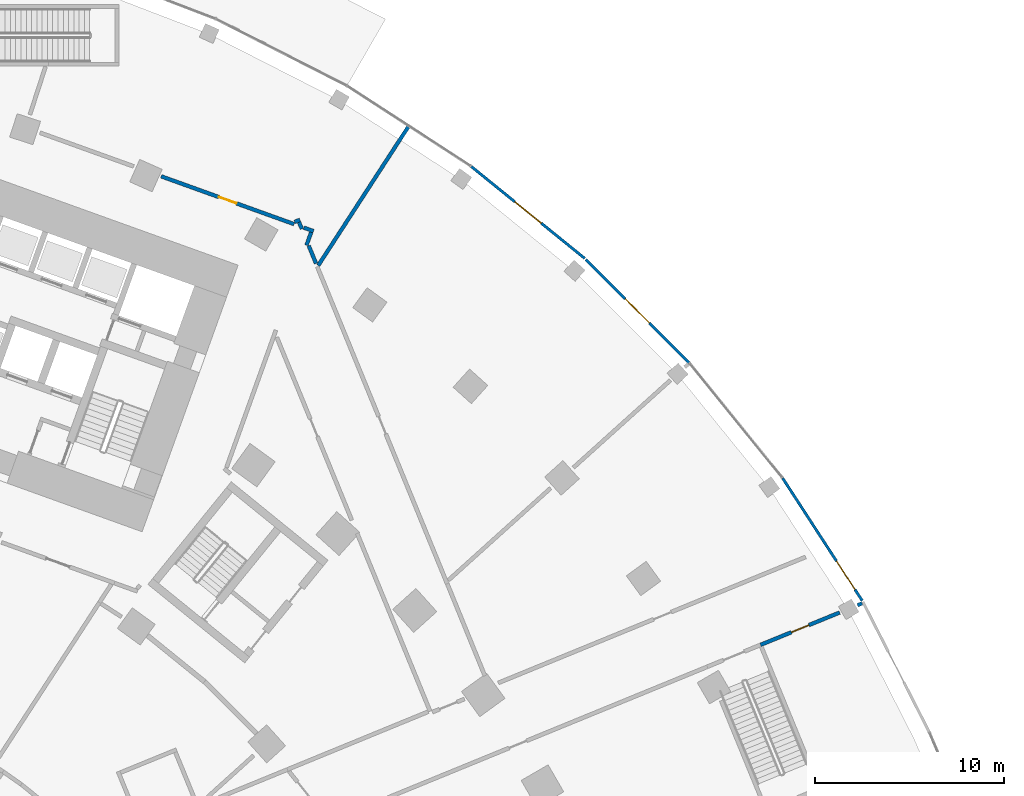
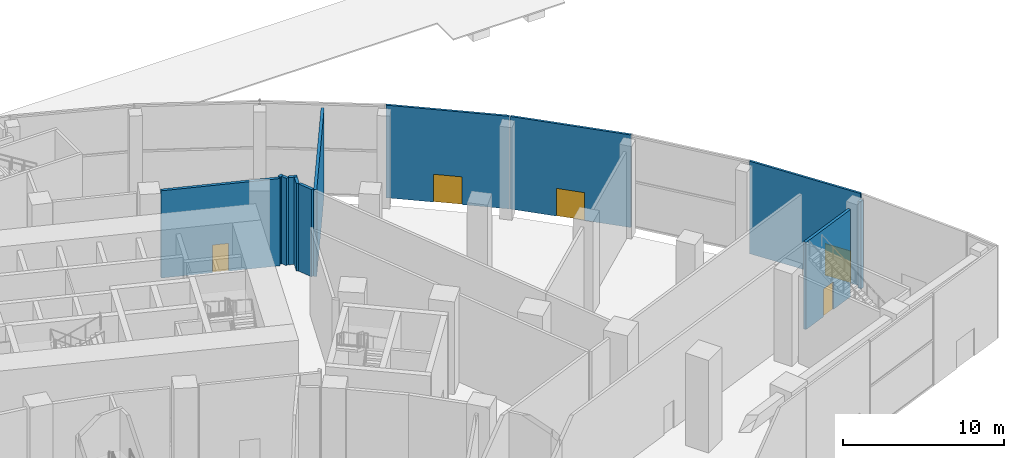
# One storey, part 38 of 60: 12 walls, 5 doors, 5 openings.
"""IFC4 building model written with IfcOpenShell, lengths in metres."""

from ifc_helpers import new_model, si_unit, direction, frame, frame_2d, origin, place, context, subcontext, project, spatial, rectangle, extrude, material, layer, layer_set, type_object, element, fill, save


model = new_model("IFC4")

# Units and contexts
model_context = context("Model", 3, precision=1e-05, world=origin(), true_north=direction((0.0, 1.0)))
body_context = subcontext(model_context, "Body", "Model", "MODEL_VIEW")
ifc_project = project(units=[si_unit("LENGTHUNIT", "METRE"), si_unit("AREAUNIT", "SQUARE_METRE"), si_unit("VOLUMEUNIT", "CUBIC_METRE"), si_unit("PLANEANGLEUNIT", "RADIAN"), si_unit("MASSUNIT", "GRAM", prefix="KILO")], contexts=[model_context])

# Site, building, storey
site_placement = place(None, origin())
site = spatial("IfcSite", under=ifc_project, at=site_placement, CompositionType="ELEMENT")
building_placement = place(site_placement, origin())
building = spatial("IfcBuilding", under=site, at=building_placement, Name="Stone Belt Terrace Tower", CompositionType="ELEMENT")
storey_placement = place(building_placement, origin())
storey = spatial("IfcBuildingStorey", under=building, at=storey_placement, Name="L00", CompositionType="ELEMENT", Elevation=0.0)

# Wall, opening, door
ifc_material_1 = material(Name="Terracotta coloured glazed ceramic", Category="masonry")
ifc_layer_1 = layer(ifc_material_1, 0.14990234375)
ifc_layer_set_1 = layer_set([ifc_layer_1], Name="Ceramic rain-screen wall 150")
wall_type_1 = type_object("IfcWallType", Name="Ceramic rain-screen wall 150", PredefinedType="SOLIDWALL", material=ifc_layer_set_1)
wall_1_placement = place(storey_placement, frame((64.5654296875, 37.31591796875, 0.0), z_axis=(0.0, 0.0, 1.0), x_axis=(-0.54462677088, 0.83867853224, 0.0)))
wall_1 = element("IfcWall", 1, at=wall_1_placement, inside=storey, type_object=wall_type_1, Name="Door wall L00", PredefinedType="SOLIDWALL", context=body_context, shape_type="SweptSolid", body=[
    extrude(rectangle(XDim=7.738037109375, YDim=0.14990234375, at=frame_2d((3.869140625, 0.0))), origin(), (0.0, 0.0, 1.0), 7.0),
])
opening_1_placement = place(wall_1_placement, frame((0.707275390625, 0.0, 0.0)))
opening_1 = element("IfcOpeningElement", 2, at=opening_1_placement, cuts=wall_1, Name="Opening L00-E09", PredefinedType="OPENING", context=body_context, shape_type="SweptSolid", body=[
    extrude(rectangle(XDim=1.800048828125, YDim=2.39990234375, at=frame_2d((0.89990234375, 1.199951171875))), frame((0.0, 0.0849609375, 0.0), z_axis=(0.0, -1.0, 0.0), x_axis=(1.0, 0.0, 0.0)), (0.0, 0.0, 1.0), 0.169921875),
])
ifc_material_2 = material(Name="Anodised aluminium glazed door", Category="aluminium")
door_type_1 = type_object("IfcDoorType", Name="Shopfront door 1800 x 2400", OperationType="DOUBLE_DOOR_DOUBLE_SWING", PredefinedType="DOOR", material=ifc_material_2)
door_1_placement = place(opening_1_placement, origin())
door_1 = element("IfcDoor", 3, at=door_1_placement, inside=storey, type_object=door_type_1, Name="Terrace door L00", OperationType="DOUBLE_DOOR_DOUBLE_SWING", OverallHeight=2.39990234375, OverallWidth=1.800048828125, PredefinedType="DOOR", context=body_context, shape_type="SweptSolid", body=[
    extrude(rectangle(XDim=1.800048828125, YDim=2.39990234375, at=frame_2d((0.89990234375, 1.199951171875))), frame((0.0, 0.02490234375, 0.0), z_axis=(0.0, -1.0, 0.0), x_axis=(1.0, 0.0, 0.0)), (0.0, 0.0, 1.0), 0.050048828125),
])
fill(opening_1, door_1)

wall_2_placement = place(storey_placement, frame((55.396240234375, 49.924560546875, 0.0), z_axis=(0.0, 0.0, 1.0), x_axis=(-0.707106781187, 0.707106781187, 0.0)))
wall_2 = element("IfcWall", 4, at=wall_2_placement, inside=storey, type_object=wall_type_1, Name="Door wall L00", PredefinedType="SOLIDWALL", context=body_context, shape_type="SweptSolid", body=[
    extrude(rectangle(XDim=7.738037109375, YDim=0.14990234375, at=frame_2d((3.869140625, 0.0))), origin(), (0.0, 0.0, 1.0), 7.0),
])
opening_2_placement = place(wall_2_placement, frame((2.968994140625, 0.0, 0.0)))
opening_2 = element("IfcOpeningElement", 5, at=opening_2_placement, cuts=wall_2, Name="Opening L00-E10", PredefinedType="OPENING", context=body_context, shape_type="SweptSolid", body=[
    extrude(rectangle(XDim=1.800048828125, YDim=2.10009765625, at=frame_2d((0.89990234375, 1.050048828125))), frame((0.0, 0.0849609375, 0.0), z_axis=(0.0, -1.0, 0.0), x_axis=(1.0, 0.0, 0.0)), (0.0, 0.0, 1.0), 0.169921875),
])
door_type_2 = type_object("IfcDoorType", Name="Exit door pair 1800 x 2100", OperationType="DOUBLE_DOOR_DOUBLE_SWING", PredefinedType="DOOR", material=ifc_material_2)
door_2_placement = place(opening_2_placement, origin())
door_2 = element("IfcDoor", 6, at=door_2_placement, inside=storey, type_object=door_type_2, Name="Exit door L00", OperationType="DOUBLE_DOOR_DOUBLE_SWING", OverallHeight=2.10009765625, OverallWidth=1.800048828125, PredefinedType="DOOR", context=body_context, shape_type="SweptSolid", body=[
    extrude(rectangle(XDim=1.800048828125, YDim=2.10009765625, at=frame_2d((0.89990234375, 1.050048828125))), frame((0.0, 0.02490234375, 0.0), z_axis=(0.0, -1.0, 0.0), x_axis=(1.0, 0.0, 0.0)), (0.0, 0.0, 1.0), 0.050048828125),
])
fill(opening_2, door_2)

wall_3_placement = place(storey_placement, frame((49.874267578125, 55.44140625, 0.0), z_axis=(0.0, 0.0, 1.0), x_axis=(-0.777139794023, 0.62932800712, 0.0)))
wall_3 = element("IfcWall", 7, at=wall_3_placement, inside=storey, type_object=wall_type_1, Name="Door wall L00", PredefinedType="SOLIDWALL", context=body_context, shape_type="SweptSolid", body=[
    extrude(rectangle(XDim=7.73828125, YDim=0.14990234375, at=frame_2d((3.869140625, 0.0))), origin(), (0.0, 0.0, 1.0), 7.0),
])
opening_3_placement = place(wall_3_placement, frame((2.968994140625, 0.0, 0.0)))
opening_3 = element("IfcOpeningElement", 8, at=opening_3_placement, cuts=wall_3, Name="Opening L00-E11", PredefinedType="OPENING", context=body_context, shape_type="SweptSolid", body=[
    extrude(rectangle(XDim=1.800048828125, YDim=2.10009765625, at=frame_2d((0.89990234375, 1.050048828125))), frame((0.0, 0.0849609375, 0.0), z_axis=(0.0, -1.0, 0.0), x_axis=(1.0, 0.0, 0.0)), (0.0, 0.0, 1.0), 0.169921875),
])
door_3_placement = place(opening_3_placement, origin())
door_3 = element("IfcDoor", 9, at=door_3_placement, inside=storey, type_object=door_type_2, Name="Exit door L00", OperationType="DOUBLE_DOOR_DOUBLE_SWING", OverallHeight=2.10009765625, OverallWidth=1.800048828125, PredefinedType="DOOR", context=body_context, shape_type="SweptSolid", body=[
    extrude(rectangle(XDim=1.800048828125, YDim=2.10009765625, at=frame_2d((0.89990234375, 1.050048828125))), frame((0.0, 0.02490234375, 0.0), z_axis=(0.0, -1.0, 0.0), x_axis=(1.0, 0.0, 0.0)), (0.0, 0.0, 1.0), 0.050048828125),
])
fill(opening_3, door_3)

ifc_material_3 = material(Name="Blockwork wall, plastered both faces", Category="masonry")
ifc_layer_2 = layer(ifc_material_3, 0.199951171875)
ifc_layer_set_2 = layer_set([ifc_layer_2], Name="Podium demising wall 200")
wall_type_2 = type_object("IfcWallType", Name="Podium demising wall 200", PredefinedType="PARTITIONING", material=ifc_layer_set_2)
wall_4_placement = place(storey_placement, frame((27.44580078125, 59.789306640625, 0.0), z_axis=(0.0, 0.0, 1.0), x_axis=(0.94099514483, -0.338420060586, 0.0)))
wall_4 = element("IfcWall", 10, at=wall_4_placement, inside=storey, type_object=wall_type_2, Name="Podium demising wall 200", PredefinedType="PARTITIONING", context=body_context, shape_type="SweptSolid", body=[
    extrude(rectangle(XDim=7.47900390625, YDim=0.199951171875, at=frame_2d((3.739501953125, 0.0))), origin(), (0.0, 0.0, 1.0), 6.60009765625),
])
opening_4_placement = place(wall_4_placement, frame((3.239501953125, 0.0, 0.0)))
opening_4 = element("IfcOpeningElement", 11, at=opening_4_placement, cuts=wall_4, Name="Opening L00-P32", PredefinedType="OPENING", context=body_context, shape_type="SweptSolid", body=[
    extrude(rectangle(XDim=1.0, YDim=2.10009765625, at=frame_2d((0.5, 1.050048828125))), frame((0.0, 0.10986328125, 0.0), z_axis=(0.0, -1.0, 0.0), x_axis=(1.0, 0.0, 0.0)), (0.0, 0.0, 1.0), 0.219970703125),
])
ifc_material_4 = material(Name="Steel framed door leaf", Category="steel")
door_type_3 = type_object("IfcDoorType", Name="Podium door single 1000", OperationType="SINGLE_SWING_LEFT", PredefinedType="DOOR", material=ifc_material_4)
door_4_placement = place(opening_4_placement, origin())
door_4 = element("IfcDoor", 12, at=door_4_placement, inside=storey, type_object=door_type_3, Name="Podium door single 1000", OperationType="SINGLE_SWING_RIGHT", OverallHeight=2.10009765625, OverallWidth=1.0, PredefinedType="DOOR", context=body_context, shape_type="SweptSolid", body=[
    extrude(rectangle(XDim=1.0, YDim=2.10009765625, at=frame_2d((0.5, 1.050048828125))), frame((0.0, 0.02490234375, 0.0), z_axis=(0.0, -1.0, 0.0), x_axis=(1.0, 0.0, 0.0)), (0.0, 0.0, 1.0), 0.050048828125),
])
fill(opening_4, door_4)

# Walls
wall_5_placement = place(storey_placement, frame((34.508056640625, 57.37548828125, 0.0), z_axis=(0.0, 0.0, 1.0), x_axis=(0.932064562333, 0.362292218578, 0.0)))
element("IfcWall", 13, at=wall_5_placement, inside=storey, type_object=wall_type_2, Name="Podium demising wall 200", PredefinedType="PARTITIONING", context=body_context, shape_type="SweptSolid", body=[
    extrude(rectangle(XDim=0.305908203125, YDim=0.199951171875, at=frame_2d((0.15283203125, 0.0))), origin(), (0.0, 0.0, 1.0), 6.60009765625),
])
wall_6_placement = place(storey_placement, frame((34.739990234375, 57.3583984375, 0.0), z_axis=(0.0, 0.0, 1.0), x_axis=(0.400984198847, -0.916084970008, 0.0)))
element("IfcWall", 14, at=wall_6_placement, inside=storey, type_object=wall_type_2, Name="Podium demising wall 200", PredefinedType="PARTITIONING", context=body_context, shape_type="SweptSolid", body=[
    extrude(rectangle(XDim=0.38720703125, YDim=0.199951171875, at=frame_2d((0.193603515625, 0.0))), origin(), (0.0, 0.0, 1.0), 6.60009765625),
])
wall_7_placement = place(storey_placement, frame((34.997802734375, 57.07275390625, 0.0), z_axis=(0.0, 0.0, 1.0), x_axis=(0.940324753979, -0.340278352315, 0.0)))
element("IfcWall", 15, at=wall_7_placement, inside=storey, type_object=wall_type_2, Name="Podium demising wall 200", PredefinedType="PARTITIONING", context=body_context, shape_type="SweptSolid", body=[
    extrude(rectangle(XDim=0.548828125, YDim=0.199951171875, at=frame_2d((0.2744140625, 0.0))), origin(), (0.0, 0.0, 1.0), 6.60009765625),
])
wall_8_placement = place(storey_placement, frame((35.1396484375, 56.1396484375, 0.0), z_axis=(0.0, 0.0, 1.0), x_axis=(0.338138499357, 0.941096358112, 0.0)))
element("IfcWall", 16, at=wall_8_placement, inside=storey, type_object=wall_type_2, Name="Podium demising wall 200", PredefinedType="PARTITIONING", context=body_context, shape_type="SweptSolid", body=[
    extrude(rectangle(XDim=0.729248046875, YDim=0.199951171875, at=frame_2d((0.36474609375, 0.0))), origin(), (0.0, 0.0, 1.0), 6.60009765625),
])
wall_9_placement = place(storey_placement, frame((35.25732421875, 56.1162109375, 0.0), z_axis=(0.0, 0.0, 1.0), x_axis=(0.380061830242, -0.92496108307, 0.0)))
element("IfcWall", 17, at=wall_9_placement, inside=storey, type_object=wall_type_2, Name="Podium demising wall 200", PredefinedType="PARTITIONING", context=body_context, shape_type="SweptSolid", body=[
    extrude(rectangle(XDim=1.017578125, YDim=0.199951171875, at=frame_2d((0.5087890625, 0.0))), origin(), (0.0, 0.0, 1.0), 6.60009765625),
])
wall_10_placement = place(storey_placement, frame((35.759033203125, 55.0654296875, 0.0), z_axis=(0.0, 0.0, 1.0), x_axis=(0.544464192723, 0.83878408595, 0.0)))
element("IfcWall", 18, at=wall_10_placement, inside=storey, type_object=wall_type_2, Name="Podium demising wall 200", PredefinedType="PARTITIONING", context=body_context, shape_type="SweptSolid", body=[
    extrude(rectangle(XDim=8.842529296875, YDim=0.199951171875, at=frame_2d((4.42138671875, 0.0))), origin(), (0.0, 0.0, 1.0), 6.60009765625),
])

# Wall, opening, door
ifc_material_5 = material(Name="Fire-rated blockwork wall, plastered both faces", Category="masonry")
ifc_layer_3 = layer(ifc_material_5, 0.199951171875)
ifc_layer_set_3 = layer_set([ifc_layer_3], Name="Podium exit passage wall 200")
wall_type_3 = type_object("IfcWallType", Name="Podium exit passage wall 200", PredefinedType="PARTITIONING", material=ifc_layer_set_3)
wall_11_placement = place(storey_placement, frame((59.18017578125, 34.97998046875, 0.0), z_axis=(0.0, 0.0, 1.0), x_axis=(0.925603654014, 0.378494221458, 0.0)))
wall_11 = element("IfcWall", 19, at=wall_11_placement, inside=storey, type_object=wall_type_3, Name="Podium exit passage wall 200", PredefinedType="PARTITIONING", context=body_context, shape_type="SweptSolid", body=[
    extrude(rectangle(XDim=4.526123046875, YDim=0.199951171875, at=frame_2d((2.26318359375, 0.0))), origin(), (0.0, 0.0, 1.0), 6.60009765625),
])
opening_5_placement = place(wall_11_placement, frame((1.76318359375, 0.0, 0.0)))
opening_5 = element("IfcOpeningElement", 20, at=opening_5_placement, cuts=wall_11, Name="Opening L00-P18", PredefinedType="OPENING", context=body_context, shape_type="SweptSolid", body=[
    extrude(rectangle(XDim=1.0, YDim=2.10009765625, at=frame_2d((0.5, 1.050048828125))), frame((0.0, 0.10986328125, 0.0), z_axis=(0.0, -1.0, 0.0), x_axis=(1.0, 0.0, 0.0)), (0.0, 0.0, 1.0), 0.219970703125),
])
door_5_placement = place(opening_5_placement, origin())
door_5 = element("IfcDoor", 21, at=door_5_placement, inside=storey, type_object=door_type_3, Name="Podium door single 1000", OperationType="SINGLE_SWING_RIGHT", OverallHeight=2.10009765625, OverallWidth=1.0, PredefinedType="DOOR", context=body_context, shape_type="SweptSolid", body=[
    extrude(rectangle(XDim=1.0, YDim=2.10009765625, at=frame_2d((0.5, 1.050048828125))), frame((0.0, 0.02490234375, 0.0), z_axis=(0.0, -1.0, 0.0), x_axis=(1.0, 0.0, 0.0)), (0.0, 0.0, 1.0), 0.050048828125),
])
fill(opening_5, door_5)

# Wall
wall_12_placement = place(storey_placement, frame((64.312744140625, 37.078857421875, 0.0), z_axis=(0.0, 0.0, 1.0), x_axis=(0.92567790555, 0.378312589238, 0.0)))
element("IfcWall", 22, at=wall_12_placement, inside=storey, type_object=wall_type_3, Name="Podium exit passage wall 200", PredefinedType="PARTITIONING", context=body_context, shape_type="SweptSolid", body=[
    extrude(rectangle(XDim=0.26708984375, YDim=0.199951171875, at=frame_2d((0.133544921875, 0.0))), origin(), (0.0, 0.0, 1.0), 6.60009765625),
])

save(model, "model.ifc")
